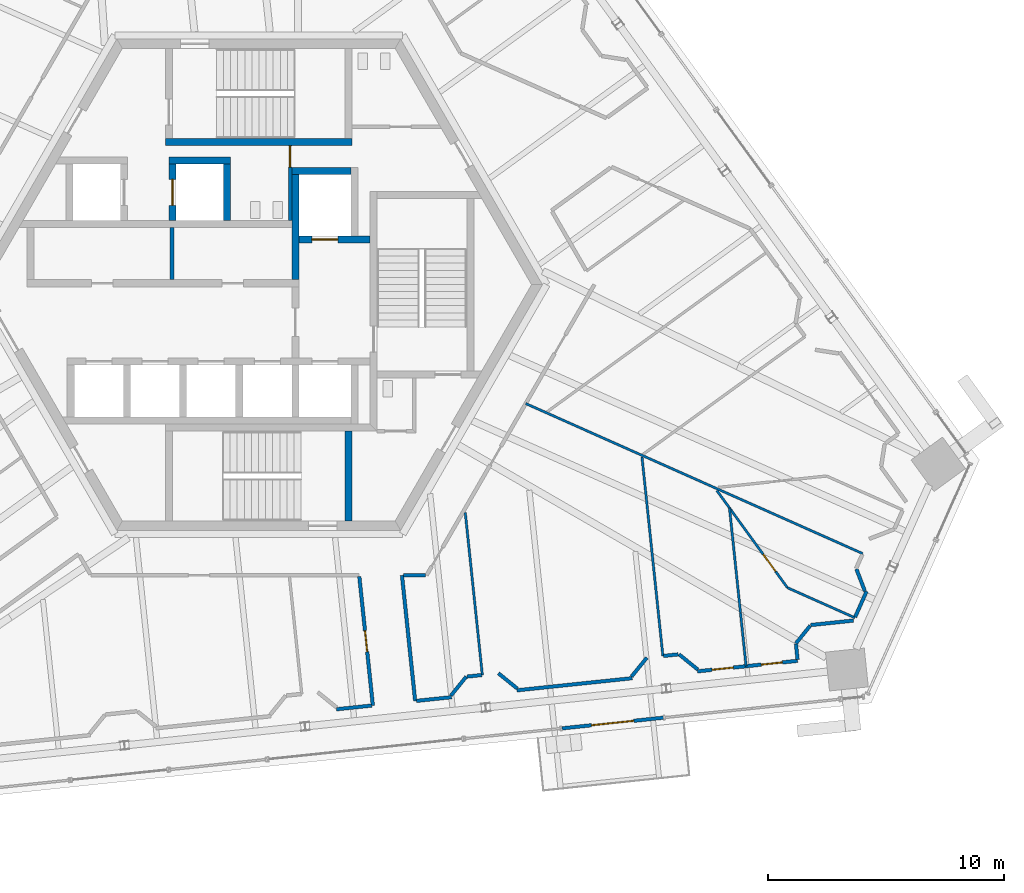
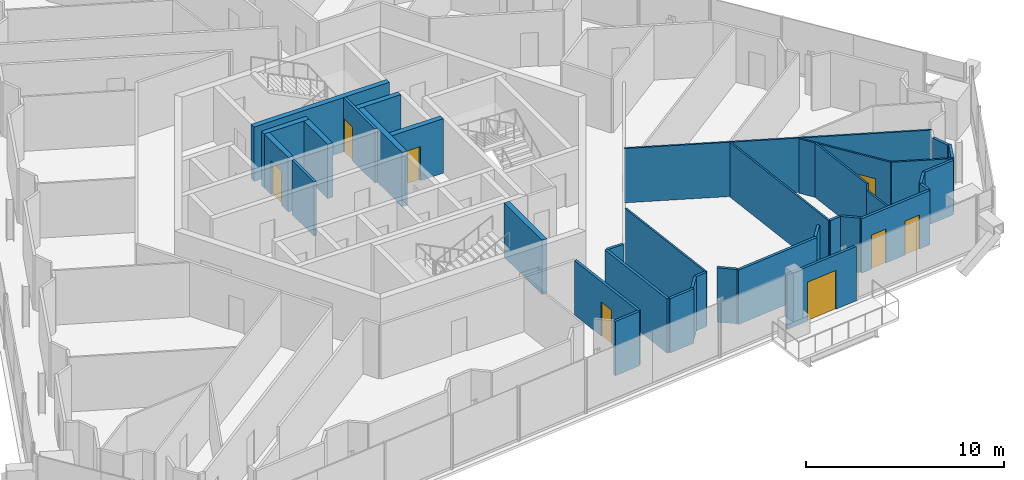
# One storey, part 17 of 26: 36 walls, 8 doors, 8 openings.
"""IFC4 building model written with IfcOpenShell, lengths in metres."""

from ifc_helpers import new_model, si_unit, direction, frame, frame_2d, origin, place, context, subcontext, project, spatial, polyline, rectangle, outline, extrude, source, transform, mapped, material, layer, layer_set, type_object, element, fill, save


model = new_model("IFC4")

# Units and contexts
model_context = context("Model", 3, precision=1e-05, world=origin(), true_north=direction((0.0, 1.0)))
body_context = subcontext(model_context, "Body", "Model", "MODEL_VIEW")
ifc_project = project(units=[si_unit("LENGTHUNIT", "METRE"), si_unit("AREAUNIT", "SQUARE_METRE"), si_unit("VOLUMEUNIT", "CUBIC_METRE"), si_unit("PLANEANGLEUNIT", "RADIAN"), si_unit("MASSUNIT", "GRAM", prefix="KILO")], contexts=[model_context])

# Site, building, storey
site_placement = place(None, origin())
site = spatial("IfcSite", under=ifc_project, at=site_placement, CompositionType="ELEMENT")
building_placement = place(site_placement, origin())
building = spatial("IfcBuilding", under=site, at=building_placement, Name="Triune Harvest Tower", CompositionType="ELEMENT")
storey_placement = place(building_placement, frame((0.0, 0.0, 252.10009765625)))
storey = spatial("IfcBuildingStorey", under=building, at=storey_placement, Name="L66", CompositionType="ELEMENT", Elevation=252.10009765625)

# Wall, opening, door
ifc_material_1 = material(Name="Gypsum board on steel studs", Category="steel")
ifc_layer_1 = layer(ifc_material_1, 0.14990234375)
ifc_layer_set_1 = layer_set([ifc_layer_1], Name="Gypsum board on steel studs")
wall_type_1 = type_object("IfcWallType", Name="Fire Partition 150 mm", PredefinedType="PARTITIONING", material=ifc_layer_set_1)
wall_1_placement = place(storey_placement, frame((4.253173828125, -12.342041015625, 0.0), z_axis=(0.0, 0.0, 1.0), x_axis=(0.104522575679, -0.994522514161, 0.0)))
wall_1 = element("IfcWall", 1, at=wall_1_placement, inside=storey, type_object=wall_type_1, Name="Partition L66 006", PredefinedType="PARTITIONING", context=body_context, shape_type="SweptSolid", body=[
    extrude(rectangle(XDim=5.484375, YDim=0.14990234375, at=frame_2d((2.7421875, 0.0))), origin(), (0.0, 0.0, 1.0), 3.349853515625),
])
opening_1_placement = place(wall_1_placement, frame((2.300048828125, 0.0, 0.0)))
opening_1 = element("IfcOpeningElement", 2, at=opening_1_placement, cuts=wall_1, Name="Opening L66-023", PredefinedType="OPENING", context=body_context, shape_type="SweptSolid", body=[
    extrude(rectangle(XDim=0.89990234375, YDim=2.10009765625, at=frame_2d((0.449951171875, 1.050048828125))), frame((0.0, 0.0849609375, 0.0), z_axis=(0.0, -1.0, 0.0), x_axis=(1.0, 0.0, 0.0)), (0.0, 0.0, 1.0), 0.169921875),
])
ifc_material_2 = material(Name="Timber and steel door set", Category="steel")
door_type_1 = type_object("IfcDoorType", Name="Single leaf door FD30 left hand 900 x 2100", OperationType="SINGLE_SWING_LEFT", PredefinedType="DOOR", material=ifc_material_2)
door_1_placement = place(opening_1_placement, origin())
door_1 = element("IfcDoor", 3, at=door_1_placement, inside=storey, type_object=door_type_1, Name="Door L66-023 Office 66.23", OperationType="SINGLE_SWING_LEFT", OverallHeight=2.10009765625, OverallWidth=0.89990234375, PredefinedType="DOOR", context=body_context, shape_type="SweptSolid", body=[
    extrude(rectangle(XDim=0.89990234375, YDim=2.10009765625, at=frame_2d((0.449951171875, 1.050048828125))), frame((0.0, 0.02490234375, 0.0), z_axis=(0.0, -1.0, 0.0), x_axis=(1.0, 0.0, 0.0)), (0.0, 0.0, 1.0), 0.050048828125),
])
fill(opening_1, door_1)

# Walls
wall_2_placement = place(storey_placement, frame((6.057861328125, -12.292236328125, 0.0), z_axis=(0.0, 0.0, 1.0), x_axis=(0.104499338666, -0.994524956056, 0.0)))
element("IfcWall", 4, at=wall_2_placement, inside=storey, type_object=wall_type_1, Name="Partition L66 008", PredefinedType="PARTITIONING", context=body_context, shape_type="SweptSolid", body=[
    extrude(rectangle(XDim=5.345458984375, YDim=0.14990234375, at=frame_2d((2.6728515625, 0.0))), origin(), (0.0, 0.0, 1.0), 3.349853515625),
])
wall_3_placement = place(storey_placement, frame((22.71875, -15.172119140625, 0.0), z_axis=(0.0, 0.0, 1.0), x_axis=(0.629205483323, 0.777238997836, 0.0)))
element("IfcWall", 5, at=wall_3_placement, inside=storey, type_object=wall_type_1, Name="Partition L66 111", PredefinedType="PARTITIONING", context=body_context, shape_type="SweptSolid", body=[
    extrude(rectangle(XDim=0.968017578125, YDim=0.14990234375, at=frame_2d((0.48388671875, 0.0))), origin(), (0.0, 0.0, 1.0), 3.349853515625),
])
wall_4_placement = place(storey_placement, frame((25.223388671875, -14.060302734375, 0.0), z_axis=(0.0, 0.0, 1.0), x_axis=(0.406630354708, 0.913592772864, 0.0)))
element("IfcWall", 6, at=wall_4_placement, inside=storey, type_object=wall_type_1, Name="Partition L66 120", PredefinedType="PARTITIONING", context=body_context, shape_type="SweptSolid", body=[
    extrude(rectangle(XDim=1.197265625, YDim=0.14990234375, at=frame_2d((0.5986328125, 0.0))), origin(), (0.0, 0.0, 1.0), 3.349853515625),
])
ifc_material_3 = material(Name="Gypsum board on steel studs", Category="steel")
ifc_layer_2 = layer(ifc_material_3, 0.10009765625)
ifc_layer_set_2 = layer_set([ifc_layer_2], Name="Gypsum board on steel studs")
wall_type_2 = type_object("IfcWallType", Name="Partition 100 mm", PredefinedType="PARTITIONING", material=ifc_layer_set_2)
wall_5_placement = place(storey_placement, frame((8.7353515625, -9.642578125, 0.0), z_axis=(0.0, 0.0, 1.0), x_axis=(0.104520914227, -0.994522688775, 0.0)))
element("IfcWall", 7, at=wall_5_placement, inside=storey, type_object=wall_type_2, Name="Partition L66 009", PredefinedType="PARTITIONING", context=body_context, shape_type="SweptSolid", body=[
    extrude(rectangle(XDim=6.90234375, YDim=0.10009765625, at=frame_2d((3.451171875, 0.0))), origin(), (0.0, 0.0, 1.0), 3.349853515625),
])
wall_6_placement = place(storey_placement, frame((19.91064453125, -9.442626953125, 0.0), z_axis=(0.0, 0.0, 1.0), x_axis=(0.104536634185, -0.994521036536, 0.0)))
element("IfcWall", 8, at=wall_6_placement, inside=storey, type_object=wall_type_2, Name="Partition L66 011", PredefinedType="PARTITIONING", context=body_context, shape_type="SweptSolid", body=[
    extrude(rectangle(XDim=4.460693359375, YDim=0.10009765625, at=frame_2d((2.23046875, 0.0))), origin(), (0.0, 0.0, 1.0), 3.349853515625),
])
wall_7_placement = place(storey_placement, frame((20.376953125, -13.87890625, 0.0), z_axis=(0.0, 0.0, 1.0), x_axis=(0.104505687443, -0.99452428894, 0.0)))
element("IfcWall", 9, at=wall_7_placement, inside=storey, type_object=wall_type_2, Name="Partition L66 011a", PredefinedType="PARTITIONING", context=body_context, shape_type="SweptSolid", body=[
    extrude(rectangle(XDim=2.270751953125, YDim=0.10009765625, at=frame_2d((1.13525390625, 0.0))), origin(), (0.0, 0.0, 1.0), 2.933349609375),
])
wall_8_placement = place(storey_placement, frame((22.371337890625, -12.821044921875, 0.0), z_axis=(0.0, 0.0, 1.0), x_axis=(0.913552335617, -0.406721194542, 0.0)))
element("IfcWall", 10, at=wall_8_placement, inside=storey, type_object=wall_type_2, Name="Partition L66 050", PredefinedType="PARTITIONING", context=body_context, shape_type="SweptSolid", body=[
    extrude(rectangle(XDim=3.109375, YDim=0.10009765625, at=frame_2d((1.5546875, 0.0))), origin(), (0.0, 0.0, 1.0), 3.349853515625),
])
ifc_material_4 = material(Name="Concrete 70 MPa", Category="concrete")
ifc_layer_3 = layer(ifc_material_4, 0.300048828125)
ifc_layer_set_3 = layer_set([ifc_layer_3], Name="Concrete 70 MPa")
wall_type_3 = type_object("IfcWallType", Name="Core wall 300", PredefinedType="SHEAR", material=ifc_layer_set_3)
shared_shape_1 = source(origin(), body_context, "Body", "SweptSolid", [
    extrude(rectangle(XDim=2.5, YDim=0.300048828125, at=frame_2d((1.25, 0.0))), origin(), (0.0, 0.0, 1.0), 3.349853515625),
])
wall_9_placement = place(storey_placement, frame((1.39990234375, 4.81005859375, 0.0), z_axis=(0.0, 0.0, 1.0), x_axis=(1.0, 0.0, 0.0)))
element("IfcWall", 11, at=wall_9_placement, inside=storey, type_object=wall_type_3, Name="Ff1 back wall", PredefinedType="SHEAR", context=body_context, shape_type="MappedRepresentation", body=[
    mapped(shared_shape_1, transform((0.0, 0.0, 0.0), scale=1.0)),
])
shared_shape_2 = source(origin(), body_context, "Body", "SweptSolid", [
    extrude(rectangle(XDim=4.449951171875, YDim=0.300048828125, at=frame_2d((2.22509765625, 0.0))), origin(), (0.0, 0.0, 1.0), 3.349853515625),
])
wall_10_placement = place(storey_placement, frame((1.550048828125, 0.2099609375, 0.0), z_axis=(0.0, 0.0, 1.0), x_axis=(0.0, 1.0, 0.0)))
element("IfcWall", 12, at=wall_10_placement, inside=storey, type_object=wall_type_3, Name="Ff1 west wall", PredefinedType="SHEAR", context=body_context, shape_type="MappedRepresentation", body=[
    mapped(shared_shape_2, transform((0.0, 0.0, 0.0), scale=1.0)),
])

# Wall, opening, door
shared_shape_3 = source(origin(), body_context, "Body", "SweptSolid", [
    extrude(rectangle(XDim=3.0, YDim=0.300048828125, at=frame_2d((1.5, 0.0))), origin(), (0.0, 0.0, 1.0), 3.349853515625),
])
wall_11_placement = place(storey_placement, frame((1.699951171875, 1.909912109375, 0.0), z_axis=(0.0, 0.0, 1.0), x_axis=(1.0, 0.0, 0.0)))
wall_11 = element("IfcWall", 13, at=wall_11_placement, inside=storey, type_object=wall_type_3, Name="Ff1 front wall", PredefinedType="SHEAR", context=body_context, shape_type="MappedRepresentation", body=[
    mapped(shared_shape_3, transform((0.0, 0.0, 0.0), scale=1.0)),
])
opening_2_placement = place(wall_11_placement, frame((0.550048828125, 0.0, 0.0)))
opening_2 = element("IfcOpeningElement", 14, at=opening_2_placement, cuts=wall_11, Name="Opening LD-FF1-66", PredefinedType="OPENING", context=body_context, shape_type="SweptSolid", body=[
    extrude(rectangle(XDim=1.10009765625, YDim=2.10009765625, at=frame_2d((0.550048828125, 1.050048828125))), frame((0.0, 0.16015625, 0.0), z_axis=(0.0, -1.0, 0.0), x_axis=(1.0, 0.0, 0.0)), (0.0, 0.0, 1.0), 0.320068359375),
])
ifc_material_5 = material(Name="Stainless steel AISI 304", Category="steel")
door_type_2 = type_object("IfcDoorType", Name="Landing door 1100 x 2100", OperationType="DOUBLE_DOOR_SLIDING", PredefinedType="DOOR", material=ifc_material_5)
door_2_placement = place(opening_2_placement, origin())
door_2 = element("IfcDoor", 15, at=door_2_placement, inside=storey, type_object=door_type_2, Name="Door LD-FF1-66", OperationType="DOUBLE_DOOR_SLIDING", OverallHeight=2.10009765625, OverallWidth=1.10009765625, PredefinedType="DOOR", context=body_context, shape_type="SweptSolid", body=[
    extrude(rectangle(XDim=1.10009765625, YDim=2.10009765625, at=frame_2d((0.550048828125, 1.050048828125))), frame((0.0, 0.02490234375, 0.0), z_axis=(0.0, -1.0, 0.0), x_axis=(1.0, 0.0, 0.0)), (0.0, 0.0, 1.0), 0.050048828125),
])
fill(opening_2, door_2)

# Walls
shared_shape_4 = source(origin(), body_context, "Body", "SweptSolid", [
    extrude(rectangle(XDim=7.89990234375, YDim=0.300048828125, at=frame_2d((3.949951171875, 0.0))), origin(), (0.0, 0.0, 1.0), 3.349853515625),
])
wall_12_placement = place(storey_placement, frame((-3.949951171875, 6.0400390625, 0.0), z_axis=(0.0, 0.0, 1.0), x_axis=(1.0, 0.0, 0.0)))
element("IfcWall", 16, at=wall_12_placement, inside=storey, type_object=wall_type_3, Name="Stair n south wall", PredefinedType="SHEAR", context=body_context, shape_type="MappedRepresentation", body=[
    mapped(shared_shape_4, transform((0.0, 0.0, 0.0), scale=1.0)),
])
shared_shape_5 = source(origin(), body_context, "Body", "SweptSolid", [
    extrude(outline(polyline([(3.800048828125, -0.14990234375), (-0.00439453125, -0.14990234375), (-0.00439453125, 0.14990234375), (3.800048828125, 0.14990234375), (3.800048828125, -0.14990234375)])), origin(), (0.0, 0.0, 1.0), 3.349853515625),
])
wall_13_placement = place(storey_placement, frame((3.800048828125, -9.989990234375, 0.0), z_axis=(0.0, 0.0, 1.0), x_axis=(0.0, 1.0, 0.0)))
element("IfcWall", 17, at=wall_13_placement, inside=storey, type_object=wall_type_3, Name="Stair s east wall", PredefinedType="SHEAR", context=body_context, shape_type="MappedRepresentation", body=[
    mapped(shared_shape_5, transform((0.0, 0.0, 0.0), scale=1.0)),
])

# Wall, opening, door
shared_shape_6 = source(origin(), body_context, "Body", "SweptSolid", [
    extrude(rectangle(XDim=2.400146484375, YDim=0.300048828125, at=frame_2d((1.2001953125, 0.0))), origin(), (0.0, 0.0, 1.0), 3.349853515625),
])
wall_14_placement = place(storey_placement, frame((-3.64990234375, 2.7099609375, 0.0), z_axis=(0.0, 0.0, 1.0), x_axis=(0.0, 1.0, 0.0)))
wall_14 = element("IfcWall", 18, at=wall_14_placement, inside=storey, type_object=wall_type_3, Name="Sv2 west wall", PredefinedType="SHEAR", context=body_context, shape_type="MappedRepresentation", body=[
    mapped(shared_shape_6, transform((0.0, 0.0, 0.0), scale=1.0)),
])
opening_3_placement = place(wall_14_placement, frame((0.64990234375, 0.0, 0.0)))
opening_3 = element("IfcOpeningElement", 19, at=opening_3_placement, cuts=wall_14, Name="Opening LD-SV2-66", PredefinedType="OPENING", context=body_context, shape_type="SweptSolid", body=[
    extrude(rectangle(XDim=1.10009765625, YDim=2.10009765625, at=frame_2d((0.550048828125, 1.050048828125))), frame((0.0, 0.16015625, 0.0), z_axis=(0.0, -1.0, 0.0), x_axis=(1.0, 0.0, 0.0)), (0.0, 0.0, 1.0), 0.320068359375),
])
door_3_placement = place(opening_3_placement, origin())
door_3 = element("IfcDoor", 20, at=door_3_placement, inside=storey, type_object=door_type_2, Name="Door LD-SV2-66", OperationType="DOUBLE_DOOR_SLIDING", OverallHeight=2.10009765625, OverallWidth=1.10009765625, PredefinedType="DOOR", context=body_context, shape_type="SweptSolid", body=[
    extrude(rectangle(XDim=1.10009765625, YDim=2.10009765625, at=frame_2d((0.550048828125, 1.050048828125))), frame((0.0, 0.02490234375, 0.0), z_axis=(0.0, -1.0, 0.0), x_axis=(1.0, 0.0, 0.0)), (0.0, 0.0, 1.0), 0.050048828125),
])
fill(opening_3, door_3)

# Walls
wall_15_placement = place(storey_placement, frame((-1.35009765625, 2.7099609375, 0.0), z_axis=(0.0, 0.0, 1.0), x_axis=(0.0, 1.0, 0.0)))
element("IfcWall", 21, at=wall_15_placement, inside=storey, type_object=wall_type_3, Name="Sv2 east wall", PredefinedType="SHEAR", context=body_context, shape_type="MappedRepresentation", body=[
    mapped(shared_shape_6, transform((0.0, 0.0, 0.0), scale=1.0)),
])
shared_shape_7 = source(origin(), body_context, "Body", "SweptSolid", [
    extrude(rectangle(XDim=2.60009765625, YDim=0.300048828125, at=frame_2d((1.300048828125, 0.0))), origin(), (0.0, 0.0, 1.0), 3.349853515625),
])
wall_16_placement = place(storey_placement, frame((-3.800048828125, 5.260009765625, 0.0), z_axis=(0.0, 0.0, 1.0), x_axis=(1.0, 0.0, 0.0)))
element("IfcWall", 22, at=wall_16_placement, inside=storey, type_object=wall_type_3, Name="Sv2 north wall", PredefinedType="SHEAR", context=body_context, shape_type="MappedRepresentation", body=[
    mapped(shared_shape_7, transform((0.0, 0.0, 0.0), scale=1.0)),
])

# Wall, opening, door
ifc_material_6 = material(Name="Concrete masonry unit", Category="masonry")
ifc_layer_4 = layer(ifc_material_6, 0.14990234375)
ifc_layer_set_4 = layer_set([ifc_layer_4], Name="Concrete masonry unit")
wall_type_4 = type_object("IfcWallType", Name="Block partition 150 unrated", PredefinedType="PARTITIONING", material=ifc_layer_set_4)
shared_shape_8 = source(origin(), body_context, "Body", "SweptSolid", [
    extrude(rectangle(XDim=3.179931640625, YDim=0.14990234375, at=frame_2d((1.58984375, 0.0))), origin(), (0.0, 0.0, 1.0), 3.349853515625),
])
wall_17_placement = place(storey_placement, frame((1.324951171875, 2.7099609375, 0.0), z_axis=(0.0, 0.0, 1.0), x_axis=(0.0, 1.0, 0.0)))
wall_17 = element("IfcWall", 23, at=wall_17_placement, inside=storey, type_object=wall_type_4, Name="Wc men east wall", PredefinedType="PARTITIONING", context=body_context, shape_type="MappedRepresentation", body=[
    mapped(shared_shape_8, transform((0.0, 0.0, 0.0), scale=1.0)),
])
opening_4_placement = place(wall_17_placement, frame((2.264892578125, 0.0, 0.0)))
opening_4 = element("IfcOpeningElement", 24, at=opening_4_placement, cuts=wall_17, Name="Opening CD-WM", PredefinedType="OPENING", context=body_context, shape_type="SweptSolid", body=[
    extrude(rectangle(XDim=0.89990234375, YDim=2.10009765625, at=frame_2d((0.449951171875, 1.050048828125))), frame((0.0, 0.0849609375, 0.0), z_axis=(0.0, -1.0, 0.0), x_axis=(1.0, 0.0, 0.0)), (0.0, 0.0, 1.0), 0.169921875),
])
ifc_material_7 = material(Name="Timber C24", Category="wood")
door_type_3 = type_object("IfcDoorType", Name="WC door 900", OperationType="SINGLE_SWING_LEFT", PredefinedType="DOOR", material=ifc_material_7)
door_4_placement = place(opening_4_placement, origin())
door_4 = element("IfcDoor", 25, at=door_4_placement, inside=storey, type_object=door_type_3, Name="Door CD-WM", OperationType="SINGLE_SWING_LEFT", OverallHeight=2.10009765625, OverallWidth=0.89990234375, PredefinedType="DOOR", context=body_context, shape_type="SweptSolid", body=[
    extrude(rectangle(XDim=0.89990234375, YDim=2.10009765625, at=frame_2d((0.449951171875, 1.050048828125))), frame((0.0, 0.02490234375, 0.0), z_axis=(0.0, -1.0, 0.0), x_axis=(1.0, 0.0, 0.0)), (0.0, 0.0, 1.0), 0.050048828125),
])
fill(opening_4, door_4)

# Wall
ifc_material_8 = material(Name="Concrete masonry unit", Category="masonry")
ifc_layer_5 = layer(ifc_material_8, 0.14990234375)
ifc_layer_set_5 = layer_set([ifc_layer_5], Name="Concrete masonry unit")
wall_type_5 = type_object("IfcWallType", Name="Block partition 150", PredefinedType="PARTITIONING", material=ifc_layer_set_5)
shared_shape_9 = source(origin(), body_context, "Body", "SweptSolid", [
    extrude(rectangle(XDim=2.199951171875, YDim=0.14990234375, at=frame_2d((1.10009765625, 0.0))), origin(), (0.0, 0.0, 1.0), 3.349853515625),
])
wall_18_placement = place(storey_placement, frame((-3.669921875, 0.2099609375, 0.0), z_axis=(0.0, 0.0, 1.0), x_axis=(0.0, 1.0, 0.0)))
element("IfcWall", 26, at=wall_18_placement, inside=storey, type_object=wall_type_5, Name="Row n part 1 wall", PredefinedType="PARTITIONING", context=body_context, shape_type="MappedRepresentation", body=[
    mapped(shared_shape_9, transform((0.0, 0.0, 0.0), scale=1.0)),
])

# Wall, opening, door
ifc_material_9 = material(Name="Aluminium bronze anodised", Category="aluminium")
ifc_layer_6 = layer(ifc_material_9, 0.14990234375)
ifc_layer_set_6 = layer_set([ifc_layer_6], Name="Aluminium bronze anodised")
wall_type_6 = type_object("IfcWallType", Name="WW-2 balcony window wall", PredefinedType="ELEMENTEDWALL", material=ifc_layer_set_6)
shared_shape_10 = source(origin(), body_context, "Body", "SweptSolid", [
    extrude(rectangle(XDim=4.31640625, YDim=0.14990234375, at=frame_2d((2.158203125, 0.0))), origin(), (0.0, 0.0, 1.0), 3.349853515625),
])
wall_19_placement = place(storey_placement, frame((17.115478515625, -18.314697265625, 0.0), z_axis=(0.0, 0.0, 1.0), x_axis=(-0.99452217624, -0.104525790917, 0.0)))
wall_19 = element("IfcWall", 27, at=wall_19_placement, inside=storey, type_object=wall_type_6, Name="WW-2 B6-F5 L66.9", PredefinedType="ELEMENTEDWALL", context=body_context, shape_type="MappedRepresentation", body=[
    mapped(shared_shape_10, transform((0.0, 0.0, 0.0), scale=1.0)),
])
opening_5_placement = place(wall_19_placement, frame((1.25830078125, 0.0, 0.0)))
opening_5 = element("IfcOpeningElement", 28, at=opening_5_placement, cuts=wall_19, Name="Opening L66-E02", PredefinedType="OPENING", context=body_context, shape_type="SweptSolid", body=[
    extrude(rectangle(XDim=1.800048828125, YDim=2.39990234375, at=frame_2d((0.89990234375, 1.199951171875))), frame((0.0, 0.0849609375, 0.0), z_axis=(0.0, -1.0, 0.0), x_axis=(1.0, 0.0, 0.0)), (0.0, 0.0, 1.0), 0.169921875),
])
ifc_material_10 = material(Name="Glass", Category="glass")
door_type_4 = type_object("IfcDoorType", Name="DB-1 balcony door 1800 x 2400", OperationType="DOUBLE_DOOR_SINGLE_SWING", PredefinedType="DOOR", material=ifc_material_10)
door_5_placement = place(opening_5_placement, origin())
door_5 = element("IfcDoor", 29, at=door_5_placement, inside=storey, type_object=door_type_4, Name="Door L66-E02", OperationType="DOUBLE_DOOR_SINGLE_SWING", OverallHeight=2.39990234375, OverallWidth=1.800048828125, PredefinedType="DOOR", context=body_context, shape_type="SweptSolid", body=[
    extrude(rectangle(XDim=1.800048828125, YDim=2.39990234375, at=frame_2d((0.89990234375, 1.199951171875))), frame((0.0, 0.02490234375, 0.0), z_axis=(0.0, -1.0, 0.0), x_axis=(1.0, 0.0, 0.0)), (0.0, 0.0, 1.0), 0.050048828125),
])
fill(opening_5, door_5)

# Walls
shared_shape_11 = source(origin(), body_context, "Body", "SweptSolid", [
    extrude(rectangle(XDim=8.4677734375, YDim=0.10009765625, at=frame_2d((4.23388671875, 0.0))), origin(), (0.0, 0.0, 1.0), 3.349853515625),
])
wall_20_placement = place(storey_placement, frame((16.208984375, -7.282958984375, 0.0), z_axis=(0.0, 0.0, 1.0), x_axis=(0.104515188959, -0.994523290465, 0.0)))
element("IfcWall", 30, at=wall_20_placement, inside=storey, type_object=wall_type_2, Name="Partition L66 010", PredefinedType="PARTITIONING", context=body_context, shape_type="MappedRepresentation", body=[
    mapped(shared_shape_11, transform((0.0, 0.0, 0.0), scale=1.0)),
])
shared_shape_12 = source(origin(), body_context, "Body", "SweptSolid", [
    extrude(rectangle(XDim=0.65966796875, YDim=0.14990234375, at=frame_2d((0.329833984375, 0.0))), origin(), (0.0, 0.0, 1.0), 3.349853515625),
])
wall_21_placement = place(storey_placement, frame((22.7216796875, -15.201904296875, 0.0), z_axis=(0.0, 0.0, 1.0), x_axis=(0.104742583143, -0.994499367157, 0.0)))
element("IfcWall", 31, at=wall_21_placement, inside=storey, type_object=wall_type_1, Name="Partition L66 012", PredefinedType="PARTITIONING", context=body_context, shape_type="MappedRepresentation", body=[
    mapped(shared_shape_12, transform((0.0, 0.0, 0.0), scale=1.0)),
])
shared_shape_13 = source(origin(), body_context, "Body", "SweptSolid", [
    extrude(rectangle(XDim=0.9990234375, YDim=0.14990234375, at=frame_2d((0.49951171875, 0.0))), origin(), (0.0, 0.0, 1.0), 3.349853515625),
])
wall_22_placement = place(storey_placement, frame((25.2783203125, -12.02587890625, 0.0), z_axis=(0.0, 0.0, 1.0), x_axis=(0.358504131198, -0.933528139862, 0.0)))
element("IfcWall", 32, at=wall_22_placement, inside=storey, type_object=wall_type_1, Name="Partition L66 019", PredefinedType="PARTITIONING", context=body_context, shape_type="MappedRepresentation", body=[
    mapped(shared_shape_13, transform((0.0, 0.0, 0.0), scale=1.0)),
])
shared_shape_14 = source(origin(), body_context, "Body", "SweptSolid", [
    extrude(rectangle(XDim=0.92919921875, YDim=0.14990234375, at=frame_2d((0.464599609375, 0.0))), origin(), (0.0, 0.0, 1.0), 3.349853515625),
])
wall_23_placement = place(storey_placement, frame((6.117919921875, -12.292236328125, 0.0), z_axis=(0.0, 0.0, 1.0), x_axis=(1.0, 0.0, 0.0)))
element("IfcWall", 33, at=wall_23_placement, inside=storey, type_object=wall_type_1, Name="Partition L66 067", PredefinedType="PARTITIONING", context=body_context, shape_type="MappedRepresentation", body=[
    mapped(shared_shape_14, transform((0.0, 0.0, 0.0), scale=1.0)),
])

# Wall, opening, door
shared_shape_15 = source(origin(), body_context, "Body", "SweptSolid", [
    extrude(rectangle(XDim=5.076904296875, YDim=0.10009765625, at=frame_2d((2.53857421875, 0.0))), origin(), (0.0, 0.0, 1.0), 3.349853515625),
])
wall_24_placement = place(storey_placement, frame((19.378173828125, -8.7099609375, 0.0), z_axis=(0.0, 0.0, 1.0), x_axis=(0.587797056948, -0.809008417659, 0.0)))
wall_24 = element("IfcWall", 34, at=wall_24_placement, inside=storey, type_object=wall_type_2, Name="Partition L66 028", PredefinedType="PARTITIONING", context=body_context, shape_type="MappedRepresentation", body=[
    mapped(shared_shape_15, transform((0.0, 0.0, 0.0), scale=1.0)),
])
opening_6_placement = place(wall_24_placement, frame((3.32666015625, 0.0, 0.0)))
opening_6 = element("IfcOpeningElement", 35, at=opening_6_placement, cuts=wall_24, Name="Opening L66-028", PredefinedType="OPENING", context=body_context, shape_type="SweptSolid", body=[
    extrude(rectangle(XDim=0.89990234375, YDim=2.10009765625, at=frame_2d((0.449951171875, 1.050048828125))), frame((0.0, 0.06005859375, 0.0), z_axis=(0.0, -1.0, 0.0), x_axis=(1.0, 0.0, 0.0)), (0.0, 0.0, 1.0), 0.1201171875),
])
ifc_material_11 = material(Name="Timber and steel door set", Category="steel")
door_type_5 = type_object("IfcDoorType", Name="Single leaf door right hand 900 x 2100", OperationType="SINGLE_SWING_RIGHT", PredefinedType="DOOR", material=ifc_material_11)
door_6_placement = place(opening_6_placement, origin())
door_6 = element("IfcDoor", 36, at=door_6_placement, inside=storey, type_object=door_type_5, Name="Door L66-028 Meeting Room 66.28", OperationType="SINGLE_SWING_RIGHT", OverallHeight=2.10009765625, OverallWidth=0.89990234375, PredefinedType="DOOR", context=body_context, shape_type="SweptSolid", body=[
    extrude(rectangle(XDim=0.89990234375, YDim=2.10009765625, at=frame_2d((0.449951171875, 1.050048828125))), frame((0.0, 0.02490234375, 0.0), z_axis=(0.0, -1.0, 0.0), x_axis=(1.0, 0.0, 0.0)), (0.0, 0.0, 1.0), 0.050048828125),
])
fill(opening_6, door_6)

# Walls
shared_shape_16 = source(origin(), body_context, "Body", "SweptSolid", [
    extrude(rectangle(XDim=1.8212890625, YDim=0.14990234375, at=frame_2d((0.91064453125, 0.0))), origin(), (0.0, 0.0, 1.0), 3.349853515625),
])
wall_25_placement = place(storey_placement, frame((23.347412109375, -14.3955078125, 0.0), z_axis=(0.0, 0.0, 1.0), x_axis=(0.994518666382, 0.104559180453, 0.0)))
element("IfcWall", 37, at=wall_25_placement, inside=storey, type_object=wall_type_1, Name="Partition L66 083", PredefinedType="PARTITIONING", context=body_context, shape_type="MappedRepresentation", body=[
    mapped(shared_shape_16, transform((0.0, 0.0, 0.0), scale=1.0)),
])
shared_shape_17 = source(origin(), body_context, "Body", "SweptSolid", [
    extrude(rectangle(XDim=0.626708984375, YDim=0.14990234375, at=frame_2d((0.3134765625, 0.0))), origin(), (0.0, 0.0, 1.0), 3.349853515625),
])
wall_26_placement = place(storey_placement, frame((17.12060546875, -15.701904296875, 0.0), z_axis=(0.0, 0.0, 1.0), x_axis=(0.994535296113, 0.104400884982, 0.0)))
element("IfcWall", 38, at=wall_26_placement, inside=storey, type_object=wall_type_1, Name="Partition L66 081", PredefinedType="PARTITIONING", context=body_context, shape_type="MappedRepresentation", body=[
    mapped(shared_shape_17, transform((0.0, 0.0, 0.0), scale=1.0)),
])
shared_shape_18 = source(origin(), body_context, "Body", "SweptSolid", [
    extrude(rectangle(XDim=1.029296875, YDim=0.14990234375, at=frame_2d((0.5146484375, 0.0))), origin(), (0.0, 0.0, 1.0), 3.349853515625),
])
for number, where, z_axis, x_axis, name in (
    (39, (17.773681640625, -15.6328125, 0.0), (0.0, 0.0, 1.0), (0.777128847746, -0.629341524136, 0.0), "Partition L66 045"),
    (40, (15.766845703125, -16.575439453125, 0.0), (0.0, 0.0, 1.0), (0.629341524136, 0.777128847746, 0.0), "Partition L66 112"),
    (41, (8.12939453125, -17.37841796875, 0.0), (0.0, 0.0, 1.0), (0.629341524136, 0.777128847746, 0.0), "Partition L66 113"),
):
    element("IfcWall", number, at=place(storey_placement, frame(where, z_axis=z_axis, x_axis=x_axis)), inside=storey, type_object=wall_type_1, Name=name, PredefinedType="PARTITIONING", context=body_context, shape_type="MappedRepresentation", body=[
        mapped(shared_shape_18, transform((0.0, 0.0, 0.0), scale=1.0)),
    ])
shared_shape_19 = source(origin(), body_context, "Body", "SweptSolid", [
    extrude(rectangle(XDim=1.029052734375, YDim=0.14990234375, at=frame_2d((0.5146484375, 0.0))), origin(), (0.0, 0.0, 1.0), 3.349853515625),
])
wall_27_placement = place(storey_placement, frame((10.13623046875, -16.435791015625, 0.0), z_axis=(0.0, 0.0, 1.0), x_axis=(0.777244870707, -0.629198228668, 0.0)))
element("IfcWall", 42, at=wall_27_placement, inside=storey, type_object=wall_type_1, Name="Partition L66 044", PredefinedType="PARTITIONING", context=body_context, shape_type="MappedRepresentation", body=[
    mapped(shared_shape_19, transform((0.0, 0.0, 0.0), scale=1.0)),
])
shared_shape_20 = source(origin(), body_context, "Body", "SweptSolid", [
    extrude(rectangle(XDim=15.602783203125, YDim=0.10009765625, at=frame_2d((7.80126953125, 0.0))), origin(), (0.0, 0.0, 1.0), 3.349853515625),
])
wall_28_placement = place(storey_placement, frame((11.29150390625, -5.027099609375, 0.0), z_axis=(0.0, 0.0, 1.0), x_axis=(0.913546803962, -0.40673361918, 0.0)))
element("IfcWall", 43, at=wall_28_placement, inside=storey, type_object=wall_type_2, Name="Partition L66 052", PredefinedType="PARTITIONING", context=body_context, shape_type="MappedRepresentation", body=[
    mapped(shared_shape_20, transform((0.0, 0.0, 0.0), scale=1.0)),
])

# Wall, openings, doors
shared_shape_21 = source(origin(), body_context, "Body", "SweptSolid", [
    extrude(rectangle(XDim=4.260498046875, YDim=0.14990234375, at=frame_2d((2.13037109375, 0.0))), origin(), (0.0, 0.0, 1.0), 3.349853515625),
])
wall_29_placement = place(storey_placement, frame((18.55859375, -16.353271484375, 0.0), z_axis=(0.0, 0.0, 1.0), x_axis=(0.99451643731, 0.104580380184, 0.0)))
wall_29 = element("IfcWall", 44, at=wall_29_placement, inside=storey, type_object=wall_type_1, Name="Partition L66 076", PredefinedType="PARTITIONING", context=body_context, shape_type="MappedRepresentation", body=[
    mapped(shared_shape_21, transform((0.0, 0.0, 0.0), scale=1.0)),
])
opening_7_placement = place(wall_29_placement, frame((0.616943359375, 0.0, 0.0)))
opening_7 = element("IfcOpeningElement", 45, at=opening_7_placement, cuts=wall_29, Name="Opening L66-026", PredefinedType="OPENING", context=body_context, shape_type="SweptSolid", body=[
    extrude(rectangle(XDim=0.89990234375, YDim=2.10009765625, at=frame_2d((0.449951171875, 1.050048828125))), frame((0.0, 0.0849609375, 0.0), z_axis=(0.0, -1.0, 0.0), x_axis=(1.0, 0.0, 0.0)), (0.0, 0.0, 1.0), 0.169921875),
])
opening_8_placement = place(wall_29_placement, frame((2.710693359375, 0.0, 0.0)))
opening_8 = element("IfcOpeningElement", 46, at=opening_8_placement, cuts=wall_29, Name="Opening L66-027", PredefinedType="OPENING", context=body_context, shape_type="SweptSolid", body=[
    extrude(rectangle(XDim=0.89990234375, YDim=2.10009765625, at=frame_2d((0.449951171875, 1.050048828125))), frame((0.0, 0.0849609375, 0.0), z_axis=(0.0, -1.0, 0.0), x_axis=(1.0, 0.0, 0.0)), (0.0, 0.0, 1.0), 0.169921875),
])
door_7_placement = place(opening_7_placement, origin())
door_7 = element("IfcDoor", 47, at=door_7_placement, inside=storey, type_object=door_type_1, Name="Door L66-026 Phone room 66.26", OperationType="SINGLE_SWING_LEFT", OverallHeight=2.10009765625, OverallWidth=0.89990234375, PredefinedType="DOOR", context=body_context, shape_type="SweptSolid", body=[
    extrude(rectangle(XDim=0.89990234375, YDim=2.10009765625, at=frame_2d((0.449951171875, 1.050048828125))), frame((0.0, 0.02490234375, 0.0), z_axis=(0.0, -1.0, 0.0), x_axis=(1.0, 0.0, 0.0)), (0.0, 0.0, 1.0), 0.050048828125),
])
fill(opening_7, door_7)
ifc_material_12 = material(Name="Timber and steel door set", Category="steel")
door_type_6 = type_object("IfcDoorType", Name="Single leaf door FD30 right hand 900 x 2100", OperationType="SINGLE_SWING_RIGHT", PredefinedType="DOOR", material=ifc_material_12)
door_8_placement = place(opening_8_placement, origin())
door_8 = element("IfcDoor", 48, at=door_8_placement, inside=storey, type_object=door_type_6, Name="Door L66-027 Meeting Room 66.27", OperationType="SINGLE_SWING_RIGHT", OverallHeight=2.10009765625, OverallWidth=0.89990234375, PredefinedType="DOOR", context=body_context, shape_type="SweptSolid", body=[
    extrude(rectangle(XDim=0.89990234375, YDim=2.10009765625, at=frame_2d((0.449951171875, 1.050048828125))), frame((0.0, 0.02490234375, 0.0), z_axis=(0.0, -1.0, 0.0), x_axis=(1.0, 0.0, 0.0)), (0.0, 0.0, 1.0), 0.050048828125),
])
fill(opening_8, door_8)

# Walls
shared_shape_22 = source(origin(), body_context, "Body", "SweptSolid", [
    extrude(rectangle(XDim=4.9013671875, YDim=0.14990234375, at=frame_2d((2.45068359375, 0.0))), origin(), (0.0, 0.0, 1.0), 3.349853515625),
])
wall_30_placement = place(storey_placement, frame((10.921875, -17.156005859375, 0.0), z_axis=(0.0, 0.0, 1.0), x_axis=(0.994519363817, 0.104552546562, 0.0)))
element("IfcWall", 49, at=wall_30_placement, inside=storey, type_object=wall_type_1, Name="Partition L66 075", PredefinedType="PARTITIONING", context=body_context, shape_type="MappedRepresentation", body=[
    mapped(shared_shape_22, transform((0.0, 0.0, 0.0), scale=1.0)),
])
shared_shape_23 = source(origin(), body_context, "Body", "SweptSolid", [
    extrude(rectangle(XDim=1.500732421875, YDim=0.14990234375, at=frame_2d((0.75048828125, 0.0))), origin(), (0.0, 0.0, 1.0), 3.349853515625),
])
for number, where, z_axis, x_axis, name in (
    (50, (3.2841796875, -17.958740234375, 0.0), (0.0, 0.0, 1.0), (0.994513472985, 0.104608565864, 0.0), "Partition L66 073"),
    (51, (6.666259765625, -17.603271484375, 0.0), (0.0, 0.0, 1.0), (0.994513472985, 0.104608565864, 0.0), "Partition L66 074"),
):
    element("IfcWall", number, at=place(storey_placement, frame(where, z_axis=z_axis, x_axis=x_axis)), inside=storey, type_object=wall_type_1, Name=name, PredefinedType="PARTITIONING", context=body_context, shape_type="MappedRepresentation", body=[
        mapped(shared_shape_23, transform((0.0, 0.0, 0.0), scale=1.0)),
    ])
shared_shape_24 = source(origin(), body_context, "Body", "SweptSolid", [
    extrude(rectangle(XDim=0.626220703125, YDim=0.14990234375, at=frame_2d((0.31298828125, 0.0))), origin(), (0.0, 0.0, 1.0), 3.349853515625),
])
wall_31_placement = place(storey_placement, frame((8.80712890625, -16.575439453125, 0.0), z_axis=(0.0, 0.0, 1.0), x_axis=(0.994526794277, 0.104481842754, 0.0)))
element("IfcWall", 52, at=wall_31_placement, inside=storey, type_object=wall_type_1, Name="Partition L66 080", PredefinedType="PARTITIONING", context=body_context, shape_type="MappedRepresentation", body=[
    mapped(shared_shape_24, transform((0.0, 0.0, 0.0), scale=1.0)),
])

save(model, "model.ifc")
